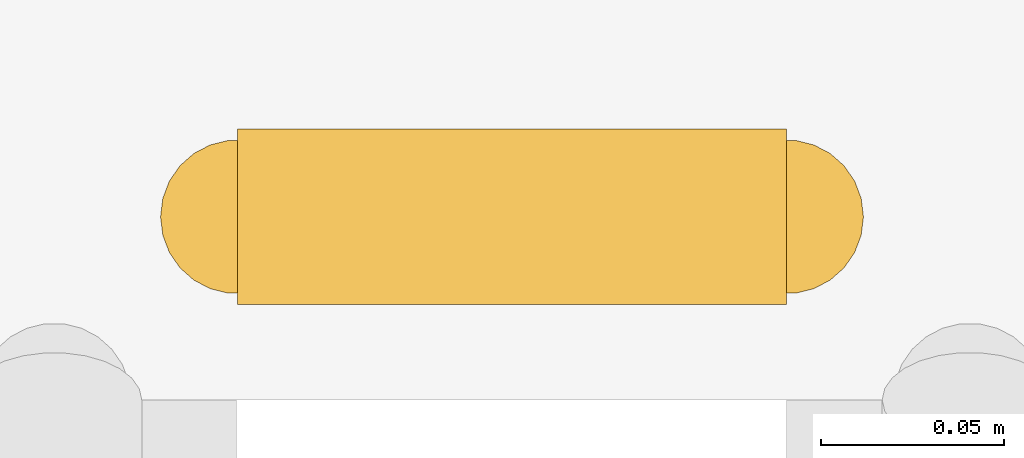
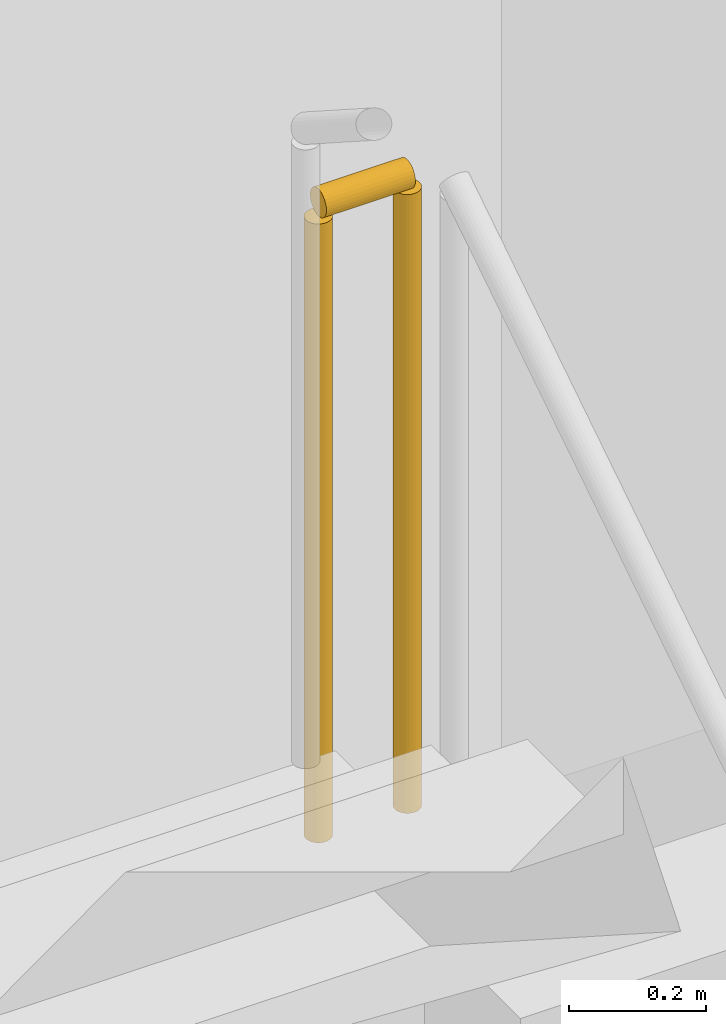
# One storey, part 31 of 35: 1 railing.
"""IFC4 building model written with IfcOpenShell, lengths in metres."""

from ifc_helpers import new_model, si_unit, direction, frame, origin, origin_2d, place, context, subcontext, project, spatial, circle, extrude, material, type_object, element, save


model = new_model("IFC4")

# Units and contexts
model_context = context("Model", 3, precision=1e-05, world=origin(), true_north=direction((0.0, 1.0)))
body_context = subcontext(model_context, "Body", "Model", "MODEL_VIEW")
ifc_project = project(units=[si_unit("LENGTHUNIT", "METRE"), si_unit("AREAUNIT", "SQUARE_METRE"), si_unit("VOLUMEUNIT", "CUBIC_METRE"), si_unit("PLANEANGLEUNIT", "RADIAN"), si_unit("MASSUNIT", "GRAM", prefix="KILO")], contexts=[model_context])

# Site, building, storey
site_placement = place(None, origin())
site = spatial("IfcSite", under=ifc_project, at=site_placement, CompositionType="ELEMENT")
building_placement = place(site_placement, origin())
building = spatial("IfcBuilding", under=site, at=building_placement, Name="Trevonay Congress Spire", CompositionType="ELEMENT")
storey_placement = place(building_placement, frame((0.0, 0.0, 10.800048828125)))
storey = spatial("IfcBuildingStorey", under=building, at=storey_placement, Name="L02", CompositionType="ELEMENT", Elevation=10.800048828125)

# Railing
ifc_material = material(Name="Pale Anodised Aluminium EN AW-6063-T6", Category="aluminium")
railing_type = type_object("IfcRailingType", Name="RAL-STAIR-GUARD-110", PredefinedType="GUARDRAIL", material=ifc_material)
railing_placement = place(storey_placement, frame((-27.0, 20.820068359375, 2.699951171875)))
element("IfcRailing", 1, at=railing_placement, inside=storey, type_object=railing_type, Name="L02 ST-5 stair guard 2", PredefinedType="GUARDRAIL", context=body_context, shape_type="SweptSolid", body=[
    extrude(circle(Radius=0.02392578125, at=origin_2d()), frame((0.0, 0.0, 1.1259765625), z_axis=(-1.0, 0.0, 0.0), x_axis=(0.0, -1.0, 0.0)), (0.0, 0.0, 1.0), 0.14990234375),
    extrude(circle(Radius=0.02099609375, at=origin_2d()), origin(), (0.0, 0.0, 1.0), 1.101806640625),
    extrude(circle(Radius=0.02099609375, at=origin_2d()), frame((-0.14990234375, 0.0, 0.0)), (0.0, 0.0, 1.0), 1.101806640625),
])

save(model, "model.ifc")
